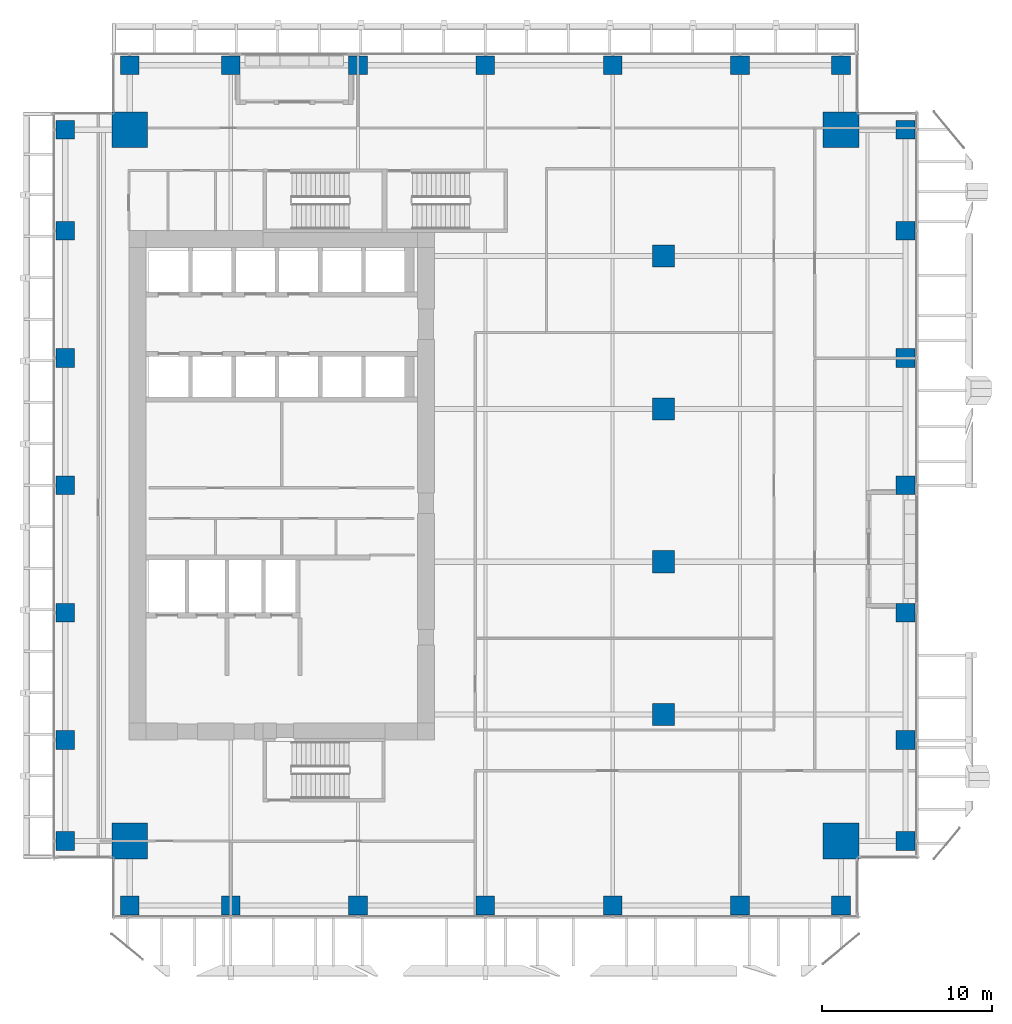
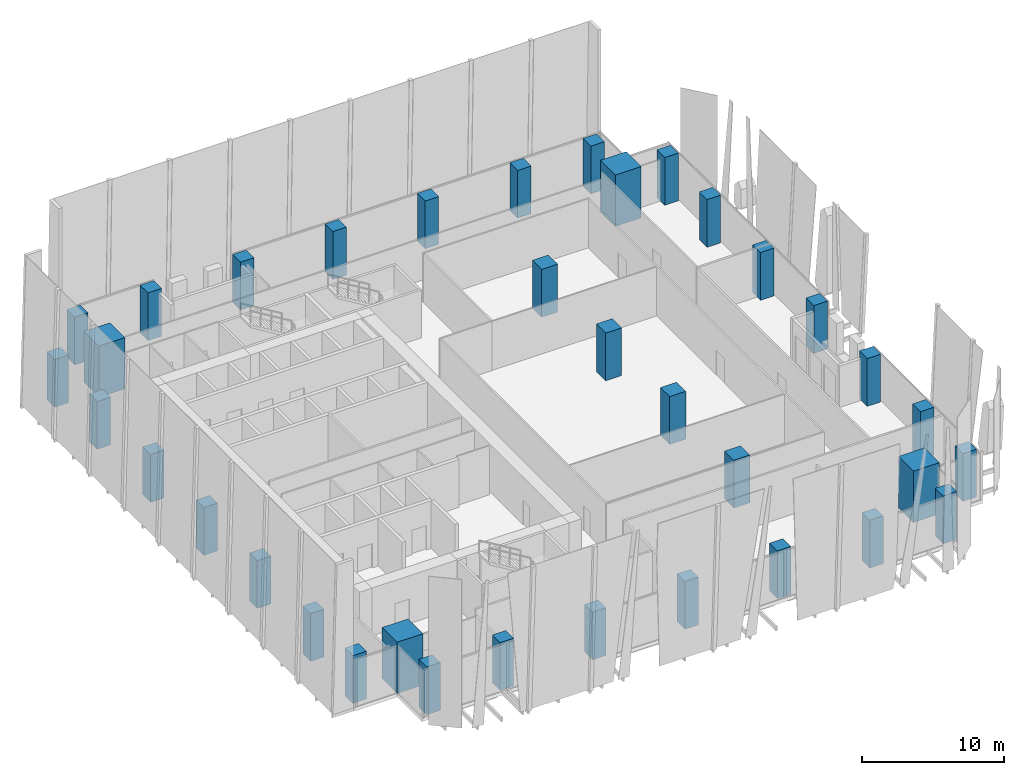
# One storey, part 1 of 36: 36 columns.
"""IFC4 building model written with IfcOpenShell, lengths in metres."""

import ifcopenshell
import ifcopenshell.guid

model = None  # the IFC model being written
_history = None  # IfcOwnerHistory: only IFC2X3 demands one
_inside = {}  # id of a spatial element -> (the spatial element, [elements in it])
_under = {}  # id of a project, library or spatial element -> (it, [spatial elements below it])
_declared = {}  # id of a project -> (the project, [libraries it declares])
_typed = {}  # id of a type object -> (the type object, [elements of that type])
_made_of = {}  # id of a material, layer set ... -> (it, [elements and type objects made of it])


def new_model(schema):
    """Start an empty IFC model of exactly this schema.

    Asked for "IFC4X3", IfcOpenShell would pick the latest addendum, in which some entities
    have other attributes; the version numbers below select the first issue.
    IFC2X3 requires an IfcOwnerHistory on every rooted entity: one is made here for all.
    """
    global model, _history
    if schema == "IFC4X3":
        model = ifcopenshell.file(schema_version=(4, 3, 0, 0))
    else:
        model = ifcopenshell.file(schema=schema)
    _inside.clear()
    _under.clear()
    _declared.clear()
    _typed.clear()
    _made_of.clear()
    _history = None
    if model.schema == "IFC2X3":
        org = make("IfcOrganization", Name="unknown")
        user = make(
            "IfcPersonAndOrganization",
            ThePerson=make("IfcPerson", FamilyName="unknown"),
            TheOrganization=org,
        )
        app = make(
            "IfcApplication",
            ApplicationDeveloper=org,
            Version="unknown",
            ApplicationFullName="unknown",
            ApplicationIdentifier="unknown",
        )
        _history = make(
            "IfcOwnerHistory",
            OwningUser=user,
            OwningApplication=app,
            ChangeAction="ADDED",
            CreationDate=0,
        )
    return model


def make(cls, **values):
    """One entity of the class cls with the attributes given. An attribute that is None is left unset."""
    return model.create_entity(
        cls, **{name: value for name, value in values.items() if value is not None}
    )


def rooted(cls, **values):
    """An entity with a GlobalId (a new one), such as an element, a storey or a relation."""
    return make(cls, GlobalId=ifcopenshell.guid.new(), OwnerHistory=_history, **values)


def si_unit(unit_type, name, prefix=None):
    """IfcSIUnit, for example si_unit("LENGTHUNIT", "METRE", prefix="MILLI")."""
    return make("IfcSIUnit", UnitType=unit_type, Prefix=prefix, Name=name)


def assignment(units):
    """IfcUnitAssignment: the units of a project."""
    return None if units is None else make("IfcUnitAssignment", Units=units)


def point(xyz):
    """IfcCartesianPoint."""
    return None if xyz is None else make("IfcCartesianPoint", Coordinates=xyz)


def direction(xyz):
    """IfcDirection."""
    return None if xyz is None else make("IfcDirection", DirectionRatios=xyz)


def frame(location, z_axis=None, x_axis=None):
    """IfcAxis2Placement3D, a coordinate frame: its origin and axes. An axis left out is left unset."""
    return make(
        "IfcAxis2Placement3D",
        Location=point(location),
        Axis=direction(z_axis),
        RefDirection=direction(x_axis),
    )


def frame_2d(location, x_axis=None):
    """IfcAxis2Placement2D, a coordinate frame in the plane: its origin and x axis."""
    return make(
        "IfcAxis2Placement2D", Location=point(location), RefDirection=direction(x_axis)
    )


def origin():
    """The frame at (0, 0, 0) with its axes left unset."""
    return frame((0.0, 0.0, 0.0))


def origin_2d():
    """The frame at (0, 0) in the plane with its x axis left unset."""
    return frame_2d((0.0, 0.0))


def place(relative_to, where):
    """IfcLocalPlacement: puts the frame where relative to a parent placement (None: the world)."""
    return make(
        "IfcLocalPlacement", PlacementRelTo=relative_to, RelativePlacement=where
    )


def context(
    kind, dimensions, precision=None, world=None, true_north=None, identifier=None
):
    """IfcGeometricRepresentationContext, for example the 3D "Model" context."""
    return make(
        "IfcGeometricRepresentationContext",
        ContextIdentifier=identifier,
        ContextType=kind,
        CoordinateSpaceDimension=dimensions,
        Precision=precision,
        WorldCoordinateSystem=world,
        TrueNorth=true_north,
    )


def subcontext(parent, identifier, kind, view, scale=None):
    """IfcGeometricRepresentationSubContext, for example "Body" below "Model"."""
    return make(
        "IfcGeometricRepresentationSubContext",
        ContextIdentifier=identifier,
        ContextType=kind,
        ParentContext=parent,
        TargetScale=scale,
        TargetView=view,
    )


def project(units=None, contexts=None):
    """IfcProject with its units and contexts."""
    return rooted(
        "IfcProject",
        Name="project",
        RepresentationContexts=contexts,
        UnitsInContext=assignment(units),
    )


def spatial(cls, under=None, at=None, **own):
    """A site, building, storey or space (cls), placed at a placement, below another one or the project."""
    s = rooted(cls, ObjectPlacement=at, **own)
    if under is not None:
        _under.setdefault(under.id(), (under, []))[1].append(s)
    return s


def profile(cls, at=None, kind="AREA", **sizes):
    """A parametric profile (cls). Its sizes go by their IFC names, for example OverallWidth=200.0."""
    return make(cls, ProfileType=kind, Position=at, **sizes)


def rectangle(**sizes):
    """IfcRectangleProfileDef."""
    return profile("IfcRectangleProfileDef", **sizes)


def extrude(swept, where, along, depth):
    """IfcExtrudedAreaSolid: the profile swept, set in the frame where, extruded along a direction by depth."""
    return make(
        "IfcExtrudedAreaSolid",
        SweptArea=swept,
        Position=where,
        ExtrudedDirection=direction(along),
        Depth=depth,
    )


def shape(context_of_items, identifier, shape_type, items):
    """IfcShapeRepresentation: the items that make up one representation, for example the "Body"."""
    return make(
        "IfcShapeRepresentation",
        ContextOfItems=context_of_items,
        RepresentationIdentifier=identifier,
        RepresentationType=shape_type,
        Items=items,
    )


def source(mapping_origin, context_of_items, identifier, shape_type, items):
    """IfcRepresentationMap: a shape defined once, which mapped items show again and again."""
    return make(
        "IfcRepresentationMap",
        MappingOrigin=mapping_origin,
        MappedRepresentation=shape(context_of_items, identifier, shape_type, items),
    )


def transform(
    local_origin,
    x_axis=None,
    y_axis=None,
    z_axis=None,
    scale=None,
    scale2=None,
    scale3=None,
    uniform=True,
):
    """IfcCartesianTransformationOperator3D, or its non-uniform kind. x_axis, y_axis, z_axis: its Axis1, 2, 3."""
    if uniform:
        return make(
            "IfcCartesianTransformationOperator3D",
            Axis1=direction(x_axis),
            Axis2=direction(y_axis),
            LocalOrigin=point(local_origin),
            Scale=scale,
            Axis3=direction(z_axis),
        )
    return make(
        "IfcCartesianTransformationOperator3DnonUniform",
        Axis1=direction(x_axis),
        Axis2=direction(y_axis),
        LocalOrigin=point(local_origin),
        Scale=scale,
        Axis3=direction(z_axis),
        Scale2=scale2,
        Scale3=scale3,
    )


def mapped(mapping_source, mapping_target):
    """IfcMappedItem: shows the shape of a source again, moved by a transform."""
    return make(
        "IfcMappedItem", MappingSource=mapping_source, MappingTarget=mapping_target
    )


def material(Name=None, Category=None):
    """IfcMaterial."""
    return make("IfcMaterial", Name=Name, Category=Category)


def material_profile(
    of_material, cross_section, Name=None, Category=None, Priority=None
):
    """IfcMaterialProfile: a cross section and its material."""
    return make(
        "IfcMaterialProfile",
        Name=Name,
        Material=of_material,
        Profile=cross_section,
        Priority=Priority,
        Category=Category,
    )


def profile_set(profiles, Name=None, composite=None):
    """IfcMaterialProfileSet."""
    return make(
        "IfcMaterialProfileSet",
        Name=Name,
        MaterialProfiles=profiles,
        CompositeProfile=composite,
    )


def made_of(thing, what):
    """Note that an element or type object is made of a material, layer set ...; save() writes the relation."""
    if what is not None:
        _made_of.setdefault(what.id(), (what, []))[1].append(thing)
    return thing


def type_object(cls, material=None, **own):
    """A type object (cls), such as IfcWallType, which elements share."""
    return made_of(rooted(cls, **own), material)


def element(
    cls,
    number,
    at=None,
    inside=None,
    cuts=None,
    type_object=None,
    material=None,
    context=None,
    identifier="Body",
    shape_type=None,
    held_by="IfcProductDefinitionShape",
    body=None,
    shapes=None,
    **own,
):
    """One element of the class cls, such as IfcWall. Its Tag is "e" and its number.

    at: its placement. inside: the storey or other place that contains it. cuts: it is an
    opening in that element (IfcRelVoidsElement). A single representation is given by context,
    identifier, shape_type and body (its items); several are given by shapes. held_by: the class
    of the entity that holds the representations. save() writes the other relations.
    """
    e = rooted(cls, Tag="e%d" % number, ObjectPlacement=at, **own)
    if body is not None:
        shapes = [shape(context, identifier, shape_type, body)]
    if shapes is not None:
        e.Representation = make(held_by, Representations=shapes)
    if inside is not None:
        _inside.setdefault(inside.id(), (inside, []))[1].append(e)
    if cuts is not None:
        rooted(
            "IfcRelVoidsElement", RelatingBuildingElement=cuts, RelatedOpeningElement=e
        )
    if type_object is not None:
        _typed.setdefault(type_object.id(), (type_object, []))[1].append(e)
    return made_of(e, material)


def aggregate(whole, parts):
    """IfcRelAggregates: a whole, such as a stair, and the parts it consists of."""
    return rooted("IfcRelAggregates", RelatingObject=whole, RelatedObjects=parts)


def save(model, path):
    """Write the relations noted so far, then the file.

    IfcRelAggregates (storeys below a building ...), IfcRelContainedInSpatialStructure (elements
    in a storey), IfcRelDefinesByType, IfcRelAssociatesMaterial and IfcRelDeclares: one each for
    every whole, place, type object, material and project.
    """
    for whole, parts in _under.values():
        aggregate(whole, parts)
    for where, things in _inside.values():
        rooted(
            "IfcRelContainedInSpatialStructure",
            RelatedElements=things,
            RelatingStructure=where,
        )
    for kind, things in _typed.values():
        rooted("IfcRelDefinesByType", RelatedObjects=things, RelatingType=kind)
    for what, things in _made_of.values():
        rooted("IfcRelAssociatesMaterial", RelatedObjects=things, RelatingMaterial=what)
    for by, libraries in _declared.values():
        rooted("IfcRelDeclares", RelatingContext=by, RelatedDefinitions=libraries)
    model.write(path)


model = new_model("IFC4")

# Units and contexts
model_context = context("Model", 3, precision=1e-05, world=origin(), true_north=direction((0.0, 1.0)))
body_context = subcontext(model_context, "Body", "Model", "MODEL_VIEW")
ifc_project = project(units=[si_unit("LENGTHUNIT", "METRE"), si_unit("AREAUNIT", "SQUARE_METRE"), si_unit("VOLUMEUNIT", "CUBIC_METRE"), si_unit("PLANEANGLEUNIT", "RADIAN"), si_unit("MASSUNIT", "GRAM", prefix="KILO")], contexts=[model_context])

# Site, building, storey
site_placement = place(None, origin())
site = spatial("IfcSite", under=ifc_project, at=site_placement, CompositionType="ELEMENT")
building_placement = place(site_placement, origin())
building = spatial("IfcBuilding", under=site, at=building_placement, Name="Khomas Fold Tower", CompositionType="ELEMENT")
storey_placement = place(building_placement, frame((0.0, 0.0, 141.10009765625)))
storey = spatial("IfcBuildingStorey", under=building, at=storey_placement, Name="L30", CompositionType="ELEMENT", Elevation=141.10009765625)

# Columns
ifc_material_1 = material(Name="Concrete C70/85", Category="concrete")
ifc_material_profile_1 = material_profile(ifc_material_1, rectangle(XDim=2.10009765625, YDim=2.10009765625, at=origin_2d()), Name="RC 2100x2100")
ifc_profile_set_1 = profile_set([ifc_material_profile_1], Name="Concrete C70/85")
column_type_1 = type_object("IfcColumnType", Name="RC 2100x2100 column", PredefinedType="COLUMN", material=ifc_profile_set_1)
shared_shape_1 = source(origin(), body_context, "Body", "SweptSolid", [
    extrude(rectangle(XDim=2.10009765625, YDim=2.10009765625, at=origin_2d()), origin(), (0.0, 0.0, 1.0), 4.39990234375),
])
for number, where, z_axis, x_axis, name in (
    (1, (47.949951171875, 47.949951171875, 0.0), (0.0, 0.0, 1.0), (1.0, 0.0, 0.0), "CM-NE"),
    (2, (6.050048828125, 47.949951171875, 0.0), (0.0, 0.0, 1.0), (1.0, 0.0, 0.0), "CM-NW"),
    (3, (47.949951171875, 6.050048828125, 0.0), (0.0, 0.0, 1.0), (1.0, 0.0, 0.0), "CM-SE"),
    (4, (6.050048828125, 6.050048828125, 0.0), (0.0, 0.0, 1.0), (1.0, 0.0, 0.0), "CM-SW"),
):
    element("IfcColumn", number, at=place(storey_placement, frame(where, z_axis=z_axis, x_axis=x_axis)), inside=storey, type_object=column_type_1, Name=name, PredefinedType="COLUMN", context=body_context, shape_type="MappedRepresentation", body=[
        mapped(shared_shape_1, transform((0.0, 0.0, 0.0))),
    ])
ifc_material_2 = material(Name="Concrete C50/60", Category="concrete")
ifc_material_profile_2 = material_profile(ifc_material_2, rectangle(XDim=1.10009765625, YDim=1.10009765625, at=origin_2d()), Name="RC 1100x1100")
ifc_profile_set_2 = profile_set([ifc_material_profile_2], Name="Concrete C50/60")
column_type_2 = type_object("IfcColumnType", Name="RC 1100x1100 column", PredefinedType="COLUMN", material=ifc_profile_set_2)
shared_shape_2 = source(origin(), body_context, "Body", "SweptSolid", [
    extrude(rectangle(XDim=1.10009765625, YDim=1.10009765625, at=origin_2d()), origin(), (0.0, 0.0, 1.0), 4.099853515625),
])
for number, where, z_axis, x_axis, name in (
    (5, (6.050048828125, 2.25, 0.0), (0.0, 0.0, 1.0), (1.0, 0.0, 0.0), "C-3-SF2"),
    (6, (12.0, 2.25, 0.0), (0.0, 0.0, 1.0), (1.0, 0.0, 0.0), "C-6-SF2"),
    (7, (19.5, 2.25, 0.0), (0.0, 0.0, 1.0), (1.0, 0.0, 0.0), "C-8-SF2"),
    (8, (27.0, 2.25, 0.0), (0.0, 0.0, 1.0), (1.0, 0.0, 0.0), "C-9-SF2"),
    (9, (34.5, 2.25, 0.0), (0.0, 0.0, 1.0), (1.0, 0.0, 0.0), "C-10-SF2"),
    (10, (42.0, 2.25, 0.0), (0.0, 0.0, 1.0), (1.0, 0.0, 0.0), "C-13-SF2"),
    (11, (47.949951171875, 2.25, 0.0), (0.0, 0.0, 1.0), (1.0, 0.0, 0.0), "C-16-SF2"),
    (12, (51.75, 6.050048828125, 0.0), (0.0, 0.0, 1.0), (1.0, 0.0, 0.0), "C-E2-C"),
    (13, (51.75, 12.0, 0.0), (0.0, 0.0, 1.0), (1.0, 0.0, 0.0), "C-E2-F"),
    (14, (51.75, 19.5, 0.0), (0.0, 0.0, 1.0), (1.0, 0.0, 0.0), "C-E2-J"),
    (15, (51.75, 27.0, 0.0), (0.0, 0.0, 1.0), (1.0, 0.0, 0.0), "C-E2-L"),
    (16, (51.75, 34.5, 0.0), (0.0, 0.0, 1.0), (1.0, 0.0, 0.0), "C-E2-N"),
    (17, (51.75, 42.0, 0.0), (0.0, 0.0, 1.0), (1.0, 0.0, 0.0), "C-E2-R"),
    (18, (51.75, 47.949951171875, 0.0), (0.0, 0.0, 1.0), (1.0, 0.0, 0.0), "C-E2-U"),
    (19, (6.050048828125, 51.75, 0.0), (0.0, 0.0, 1.0), (1.0, 0.0, 0.0), "C-3-NF2"),
    (20, (12.0, 51.75, 0.0), (0.0, 0.0, 1.0), (1.0, 0.0, 0.0), "C-6-NF2"),
    (21, (19.5, 51.75, 0.0), (0.0, 0.0, 1.0), (1.0, 0.0, 0.0), "C-8-NF2"),
    (22, (27.0, 51.75, 0.0), (0.0, 0.0, 1.0), (1.0, 0.0, 0.0), "C-9-NF2"),
    (23, (34.5, 51.75, 0.0), (0.0, 0.0, 1.0), (1.0, 0.0, 0.0), "C-10-NF2"),
    (24, (42.0, 51.75, 0.0), (0.0, 0.0, 1.0), (1.0, 0.0, 0.0), "C-13-NF2"),
    (25, (47.949951171875, 51.75, 0.0), (0.0, 0.0, 1.0), (1.0, 0.0, 0.0), "C-16-NF2"),
    (26, (2.25, 6.050048828125, 0.0), (0.0, 0.0, 1.0), (1.0, 0.0, 0.0), "C-W2-C"),
    (27, (2.25, 12.0, 0.0), (0.0, 0.0, 1.0), (1.0, 0.0, 0.0), "C-W2-F"),
    (28, (2.25, 19.5, 0.0), (0.0, 0.0, 1.0), (1.0, 0.0, 0.0), "C-W2-J"),
    (29, (2.25, 27.0, 0.0), (0.0, 0.0, 1.0), (1.0, 0.0, 0.0), "C-W2-L"),
    (30, (2.25, 34.5, 0.0), (0.0, 0.0, 1.0), (1.0, 0.0, 0.0), "C-W2-N"),
    (31, (2.25, 42.0, 0.0), (0.0, 0.0, 1.0), (1.0, 0.0, 0.0), "C-W2-R"),
    (32, (2.25, 47.949951171875, 0.0), (0.0, 0.0, 1.0), (1.0, 0.0, 0.0), "C-W2-U"),
):
    element("IfcColumn", number, at=place(storey_placement, frame(where, z_axis=z_axis, x_axis=x_axis)), inside=storey, type_object=column_type_2, Name=name, PredefinedType="COLUMN", context=body_context, shape_type="MappedRepresentation", body=[
        mapped(shared_shape_2, transform((0.0, 0.0, 0.0))),
    ])
ifc_material_3 = material(Name="Concrete C60/75", Category="concrete")
ifc_material_profile_3 = material_profile(ifc_material_3, rectangle(XDim=1.300048828125, YDim=1.300048828125, at=origin_2d()), Name="RC 1300x1300")
ifc_profile_set_3 = profile_set([ifc_material_profile_3], Name="Concrete C60/75")
column_type_3 = type_object("IfcColumnType", Name="RC 1300x1300 column", PredefinedType="COLUMN", material=ifc_profile_set_3)
shared_shape_3 = source(origin(), body_context, "Body", "SweptSolid", [
    extrude(rectangle(XDim=1.300048828125, YDim=1.300048828125, at=origin_2d()), origin(), (0.0, 0.0, 1.0), 4.099853515625),
])
for number, where, z_axis, x_axis, name in (
    (33, (37.5, 13.5, 0.0), (0.0, 0.0, 1.0), (1.0, 0.0, 0.0), "C-11-H"),
    (34, (37.5, 22.5, 0.0), (0.0, 0.0, 1.0), (1.0, 0.0, 0.0), "C-11-K"),
    (35, (37.5, 31.5, 0.0), (0.0, 0.0, 1.0), (1.0, 0.0, 0.0), "C-11-M"),
    (36, (37.5, 40.5, 0.0), (0.0, 0.0, 1.0), (1.0, 0.0, 0.0), "C-11-P"),
):
    element("IfcColumn", number, at=place(storey_placement, frame(where, z_axis=z_axis, x_axis=x_axis)), inside=storey, type_object=column_type_3, Name=name, PredefinedType="COLUMN", context=body_context, shape_type="MappedRepresentation", body=[
        mapped(shared_shape_3, transform((0.0, 0.0, 0.0))),
    ])

save(model, "model.ifc")
